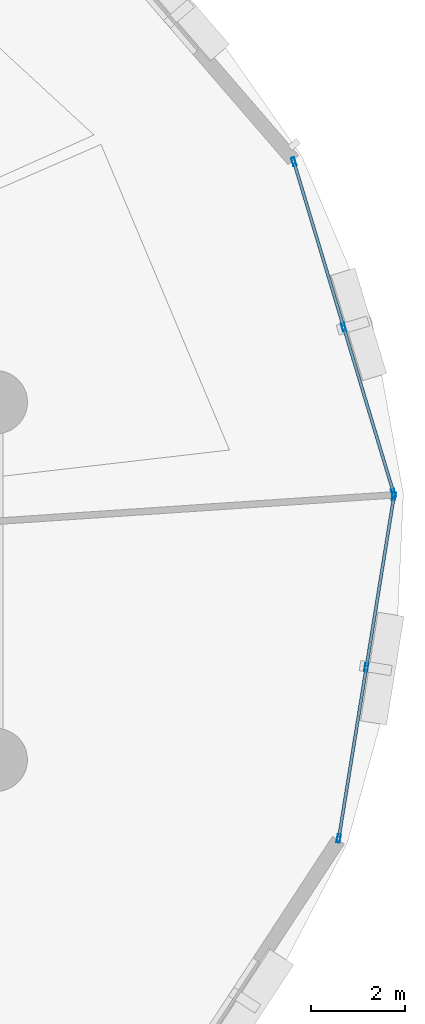
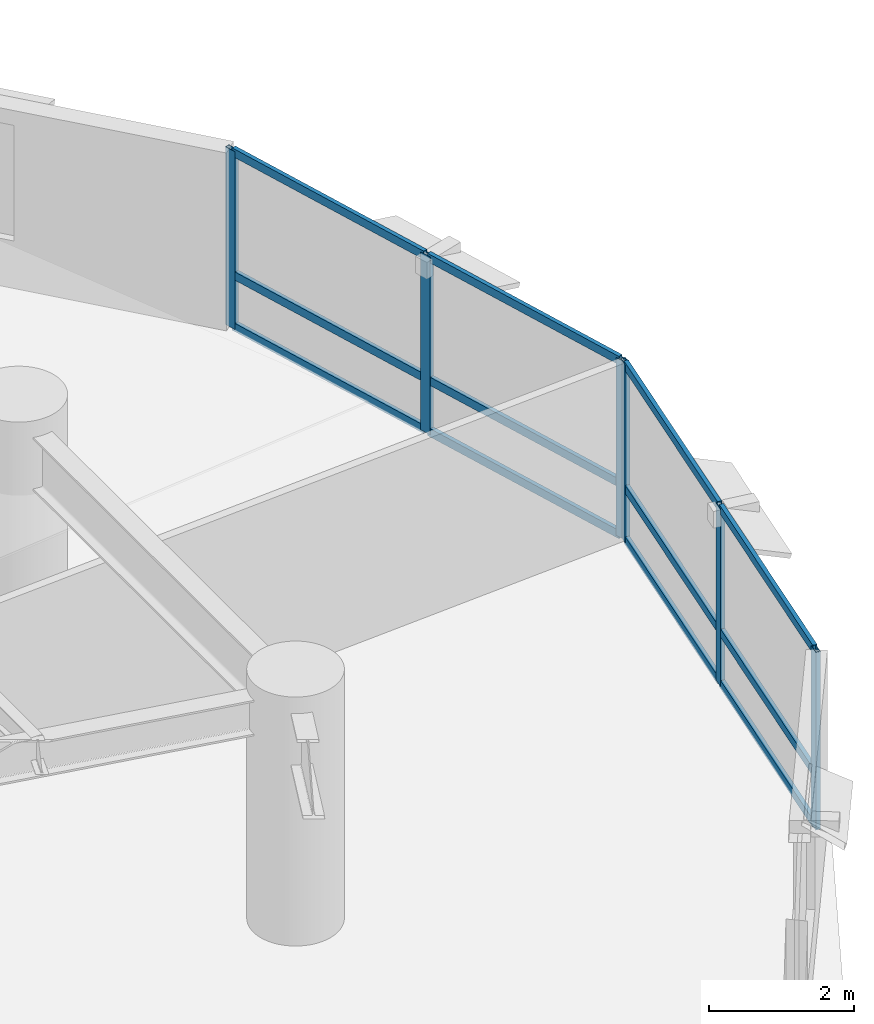
# One storey, part 8 of 16: 18 members, 2 elements without a shape of their own.
"""IFC4 building model written with IfcOpenShell, lengths in metres."""

from ifc_helpers import new_model, si_unit, direction, frame, origin, origin_2d, place, context, subcontext, project, spatial, hollow_rectangle, extrude, material, layer, layer_set, material_profile, profile_set, type_object, element, aggregate, save


model = new_model("IFC4")

# Units and contexts
model_context = context("Model", 3, precision=1e-05, world=origin(), true_north=direction((0.0, 1.0)))
body_context = subcontext(model_context, "Body", "Model", "MODEL_VIEW")
ifc_project = project(units=[si_unit("LENGTHUNIT", "METRE"), si_unit("AREAUNIT", "SQUARE_METRE"), si_unit("VOLUMEUNIT", "CUBIC_METRE"), si_unit("PLANEANGLEUNIT", "RADIAN"), si_unit("MASSUNIT", "GRAM", prefix="KILO"), si_unit("THERMODYNAMICTEMPERATUREUNIT", "KELVIN"), si_unit("POWERUNIT", "WATT")], contexts=[model_context])

# Site, building, storey
site_placement = place(None, origin())
site = spatial("IfcSite", under=ifc_project, at=site_placement, CompositionType="ELEMENT")
building_placement = place(site_placement, origin())
building = spatial("IfcBuilding", under=site, at=building_placement, Name="Ocrelia Relay Tower", CompositionType="ELEMENT")
storey_placement = place(building_placement, frame((0.0, 0.0, 46.800048828125)))
storey = spatial("IfcBuildingStorey", under=building, at=storey_placement, Name="L10", CompositionType="ELEMENT", Elevation=46.800048828125)

# Curtain wall, members
ifc_material_1 = material(Name="Aluminium and solar-control low-E glass", Category="aluminium")
ifc_layer = layer(ifc_material_1, 0.179931640625, Name="Aluminium and solar-control low-E glass")
ifc_layer_set = layer_set([ifc_layer], Name="Aluminium and solar-control low-E glass")
curtain_wall_type = type_object("IfcCurtainWallType", Name="CW-SYS-Z1-DATA", PredefinedType="NOTDEFINED", material=ifc_layer_set)
curtain_wall_1_placement = place(storey_placement, origin())
curtain_wall_1 = element("IfcCurtainWall", 1, at=curtain_wall_1_placement, inside=storey, type_object=curtain_wall_type, Name="L10 Elliptical Tower Curtain Wall Bay 01", PredefinedType="NOTDEFINED")
ifc_material_2 = material(Name="Anodised bronze aluminium", Category="aluminium")
ifc_material_profile_1 = material_profile(ifc_material_2, hollow_rectangle(XDim=0.070068359375, YDim=0.179931640625, WallThickness=0.006103515625, at=origin_2d()), Name="CW-MUL-180x70")
ifc_profile_set_1 = profile_set([ifc_material_profile_1], Name="Anodised bronze aluminium")
member_type_1 = type_object("IfcMemberType", Name="CW-SYS-Z1-DATA-MUL", PredefinedType="MULLION", material=ifc_profile_set_1)
member_1_placement = place(storey_placement, frame((61.728759765625, 27.8759765625, 0.0), z_axis=(0.0, 0.0, 1.0), x_axis=(-0.957519048291, -0.288370026457, 0.0)))
member_1 = element("IfcMember", 2, at=member_1_placement, type_object=member_type_1, Name="CW-Z1 mullion 1", PredefinedType="MULLION", context=body_context, shape_type="SweptSolid", body=[
    extrude(hollow_rectangle(XDim=0.070068359375, YDim=0.179931640625, WallThickness=0.006103515625, at=origin_2d()), origin(), (0.0, 0.0, 1.0), 3.0),
])
member_2_placement = place(storey_placement, frame((60.6611328125, 31.42138671875, 0.0), z_axis=(0.0, 0.0, 1.0), x_axis=(-0.957519048291, -0.288370026457, 0.0)))
member_2 = element("IfcMember", 3, at=member_2_placement, type_object=member_type_1, Name="CW-Z1 mullion 2", PredefinedType="MULLION", context=body_context, shape_type="SweptSolid", body=[
    extrude(hollow_rectangle(XDim=0.070068359375, YDim=0.179931640625, WallThickness=0.006103515625, at=origin_2d()), origin(), (0.0, 0.0, 1.0), 3.0),
])
member_3_placement = place(storey_placement, frame((59.59326171875, 34.966796875, 0.0), z_axis=(0.0, 0.0, 1.0), x_axis=(-0.957519048291, -0.288370026457, 0.0)))
member_3 = element("IfcMember", 4, at=member_3_placement, type_object=member_type_1, Name="CW-Z1 mullion 3", PredefinedType="MULLION", context=body_context, shape_type="SweptSolid", body=[
    extrude(hollow_rectangle(XDim=0.070068359375, YDim=0.179931640625, WallThickness=0.006103515625, at=origin_2d()), origin(), (0.0, 0.0, 1.0), 3.0),
])

curtain_wall_2_placement = place(storey_placement, origin())
curtain_wall_2 = element("IfcCurtainWall", 5, at=curtain_wall_2_placement, inside=storey, type_object=curtain_wall_type, Name="L10 Elliptical Tower Curtain Wall Bay 18", PredefinedType="NOTDEFINED")
member_4_placement = place(storey_placement, frame((60.554443359375, 20.496826171875, 0.0), z_axis=(0.0, 0.0, 1.0), x_axis=(-0.987246140039, 0.159201315878, 0.0)))
member_4 = element("IfcMember", 6, at=member_4_placement, type_object=member_type_1, Name="CW-Z1 mullion 1", PredefinedType="MULLION", context=body_context, shape_type="SweptSolid", body=[
    extrude(hollow_rectangle(XDim=0.070068359375, YDim=0.179931640625, WallThickness=0.006103515625, at=origin_2d()), origin(), (0.0, 0.0, 1.0), 3.0),
])
member_5_placement = place(storey_placement, frame((61.143798828125, 24.15234375, 0.0), z_axis=(0.0, 0.0, 1.0), x_axis=(-0.987246140039, 0.159201315878, 0.0)))
member_5 = element("IfcMember", 7, at=member_5_placement, type_object=member_type_1, Name="CW-Z1 mullion 2", PredefinedType="MULLION", context=body_context, shape_type="SweptSolid", body=[
    extrude(hollow_rectangle(XDim=0.070068359375, YDim=0.179931640625, WallThickness=0.006103515625, at=origin_2d()), origin(), (0.0, 0.0, 1.0), 3.0),
])
member_6_placement = place(storey_placement, frame((61.7333984375, 27.807861328125, 0.0), z_axis=(0.0, 0.0, 1.0), x_axis=(-0.987246140039, 0.159201315878, 0.0)))
member_6 = element("IfcMember", 8, at=member_6_placement, type_object=member_type_1, Name="CW-Z1 mullion 3", PredefinedType="MULLION", context=body_context, shape_type="SweptSolid", body=[
    extrude(hollow_rectangle(XDim=0.070068359375, YDim=0.179931640625, WallThickness=0.006103515625, at=origin_2d()), origin(), (0.0, 0.0, 1.0), 3.0),
])

# Member
ifc_material_profile_2 = material_profile(ifc_material_2, hollow_rectangle(XDim=0.06494140625, YDim=0.139892578125, WallThickness=0.0048828125, at=origin_2d()), Name="CW-TRN-140x65")
ifc_profile_set_2 = profile_set([ifc_material_profile_2], Name="Anodised bronze aluminium")
member_type_2 = type_object("IfcMemberType", Name="CW-SYS-Z1-DATA-TRN", PredefinedType="USERDEFINED", material=ifc_profile_set_2)
member_7_placement = place(storey_placement, frame((61.71875, 27.909423828125, 0.032470703125), z_axis=(-0.288371191123, 0.957518697536, 0.0), x_axis=(-0.957518697536, -0.288371191123, 0.0)))
member_7 = element("IfcMember", 9, at=member_7_placement, type_object=member_type_2, Name="CW-Z1 transom 1.1", ObjectType="TRANSOM", PredefinedType="USERDEFINED", context=body_context, shape_type="SweptSolid", body=[
    extrude(hollow_rectangle(XDim=0.06494140625, YDim=0.139892578125, WallThickness=0.0048828125, at=origin_2d()), origin(), (0.0, 0.0, 1.0), 3.6328125),
])

member_8_placement = place(storey_placement, frame((61.71875, 27.909423828125, 0.89990234375), z_axis=(-0.288371191123, 0.957518697536, 0.0), x_axis=(-0.957518697536, -0.288371191123, 0.0)))
member_8 = element("IfcMember", 10, at=member_8_placement, type_object=member_type_2, Name="CW-Z1 transom 1.2", ObjectType="TRANSOM", PredefinedType="USERDEFINED", context=body_context, shape_type="SweptSolid", body=[
    extrude(hollow_rectangle(XDim=0.06494140625, YDim=0.139892578125, WallThickness=0.0048828125, at=origin_2d()), origin(), (0.0, 0.0, 1.0), 3.6328125),
])

member_9_placement = place(storey_placement, frame((61.71875, 27.909423828125, 2.967529296875), z_axis=(-0.288371191123, 0.957518697536, 0.0), x_axis=(-0.957518697536, -0.288371191123, 0.0)))
member_9 = element("IfcMember", 11, at=member_9_placement, type_object=member_type_2, Name="CW-Z1 transom 1.3", ObjectType="TRANSOM", PredefinedType="USERDEFINED", context=body_context, shape_type="SweptSolid", body=[
    extrude(hollow_rectangle(XDim=0.06494140625, YDim=0.139892578125, WallThickness=0.0048828125, at=origin_2d()), origin(), (0.0, 0.0, 1.0), 3.6328125),
])

member_10_placement = place(storey_placement, frame((60.65087890625, 31.454833984375, 0.032470703125), z_axis=(-0.288371191123, 0.957518697536, 0.0), x_axis=(-0.957518697536, -0.288371191123, 0.0)))
member_10 = element("IfcMember", 12, at=member_10_placement, type_object=member_type_2, Name="CW-Z1 transom 2.1", ObjectType="TRANSOM", PredefinedType="USERDEFINED", context=body_context, shape_type="SweptSolid", body=[
    extrude(hollow_rectangle(XDim=0.06494140625, YDim=0.139892578125, WallThickness=0.0048828125, at=origin_2d()), origin(), (0.0, 0.0, 1.0), 3.6328125),
])

member_11_placement = place(storey_placement, frame((60.65087890625, 31.454833984375, 0.89990234375), z_axis=(-0.288371191123, 0.957518697536, 0.0), x_axis=(-0.957518697536, -0.288371191123, 0.0)))
member_11 = element("IfcMember", 13, at=member_11_placement, type_object=member_type_2, Name="CW-Z1 transom 2.2", ObjectType="TRANSOM", PredefinedType="USERDEFINED", context=body_context, shape_type="SweptSolid", body=[
    extrude(hollow_rectangle(XDim=0.06494140625, YDim=0.139892578125, WallThickness=0.0048828125, at=origin_2d()), origin(), (0.0, 0.0, 1.0), 3.6328125),
])

member_12_placement = place(storey_placement, frame((60.65087890625, 31.454833984375, 2.967529296875), z_axis=(-0.288371191123, 0.957518697536, 0.0), x_axis=(-0.957518697536, -0.288371191123, 0.0)))
member_12 = element("IfcMember", 14, at=member_12_placement, type_object=member_type_2, Name="CW-Z1 transom 2.3", ObjectType="TRANSOM", PredefinedType="USERDEFINED", context=body_context, shape_type="SweptSolid", body=[
    extrude(hollow_rectangle(XDim=0.06494140625, YDim=0.139892578125, WallThickness=0.0048828125, at=origin_2d()), origin(), (0.0, 0.0, 1.0), 3.6328125),
])

aggregate(curtain_wall_1, [member_1, member_2, member_3, member_7, member_8, member_9, member_10, member_11, member_12])

member_13_placement = place(storey_placement, frame((60.56005859375, 20.531494140625, 0.032470703125), z_axis=(0.159154253395, 0.987253728089, 0.0), x_axis=(-0.987253728089, 0.159154253395, 0.0)))
member_13 = element("IfcMember", 15, at=member_13_placement, type_object=member_type_2, Name="CW-Z1 transom 1.1", ObjectType="TRANSOM", PredefinedType="USERDEFINED", context=body_context, shape_type="SweptSolid", body=[
    extrude(hollow_rectangle(XDim=0.06494140625, YDim=0.139892578125, WallThickness=0.0048828125, at=origin_2d()), origin(), (0.0, 0.0, 1.0), 3.632568359375),
])

member_14_placement = place(storey_placement, frame((60.56005859375, 20.531494140625, 0.89990234375), z_axis=(0.159154253395, 0.987253728089, 0.0), x_axis=(-0.987253728089, 0.159154253395, 0.0)))
member_14 = element("IfcMember", 16, at=member_14_placement, type_object=member_type_2, Name="CW-Z1 transom 1.2", ObjectType="TRANSOM", PredefinedType="USERDEFINED", context=body_context, shape_type="SweptSolid", body=[
    extrude(hollow_rectangle(XDim=0.06494140625, YDim=0.139892578125, WallThickness=0.0048828125, at=origin_2d()), origin(), (0.0, 0.0, 1.0), 3.632568359375),
])

member_15_placement = place(storey_placement, frame((60.56005859375, 20.531494140625, 2.967529296875), z_axis=(0.159154253395, 0.987253728089, 0.0), x_axis=(-0.987253728089, 0.159154253395, 0.0)))
member_15 = element("IfcMember", 17, at=member_15_placement, type_object=member_type_2, Name="CW-Z1 transom 1.3", ObjectType="TRANSOM", PredefinedType="USERDEFINED", context=body_context, shape_type="SweptSolid", body=[
    extrude(hollow_rectangle(XDim=0.06494140625, YDim=0.139892578125, WallThickness=0.0048828125, at=origin_2d()), origin(), (0.0, 0.0, 1.0), 3.632568359375),
])

member_16_placement = place(storey_placement, frame((61.1494140625, 24.18701171875, 0.032470703125), z_axis=(0.15921976031, 0.987243165551, 0.0), x_axis=(-0.987243165551, 0.15921976031, 0.0)))
member_16 = element("IfcMember", 18, at=member_16_placement, type_object=member_type_2, Name="CW-Z1 transom 2.1", ObjectType="TRANSOM", PredefinedType="USERDEFINED", context=body_context, shape_type="SweptSolid", body=[
    extrude(hollow_rectangle(XDim=0.06494140625, YDim=0.139892578125, WallThickness=0.0048828125, at=origin_2d()), origin(), (0.0, 0.0, 1.0), 3.632568359375),
])

member_17_placement = place(storey_placement, frame((61.1494140625, 24.18701171875, 0.89990234375), z_axis=(0.15921976031, 0.987243165551, 0.0), x_axis=(-0.987243165551, 0.15921976031, 0.0)))
member_17 = element("IfcMember", 19, at=member_17_placement, type_object=member_type_2, Name="CW-Z1 transom 2.2", ObjectType="TRANSOM", PredefinedType="USERDEFINED", context=body_context, shape_type="SweptSolid", body=[
    extrude(hollow_rectangle(XDim=0.06494140625, YDim=0.139892578125, WallThickness=0.0048828125, at=origin_2d()), origin(), (0.0, 0.0, 1.0), 3.632568359375),
])

member_18_placement = place(storey_placement, frame((61.1494140625, 24.18701171875, 2.967529296875), z_axis=(0.15921976031, 0.987243165551, 0.0), x_axis=(-0.987243165551, 0.15921976031, 0.0)))
member_18 = element("IfcMember", 20, at=member_18_placement, type_object=member_type_2, Name="CW-Z1 transom 2.3", ObjectType="TRANSOM", PredefinedType="USERDEFINED", context=body_context, shape_type="SweptSolid", body=[
    extrude(hollow_rectangle(XDim=0.06494140625, YDim=0.139892578125, WallThickness=0.0048828125, at=origin_2d()), origin(), (0.0, 0.0, 1.0), 3.632568359375),
])

aggregate(curtain_wall_2, [member_4, member_5, member_6, member_13, member_14, member_15, member_16, member_17, member_18])

save(model, "model.ifc")
